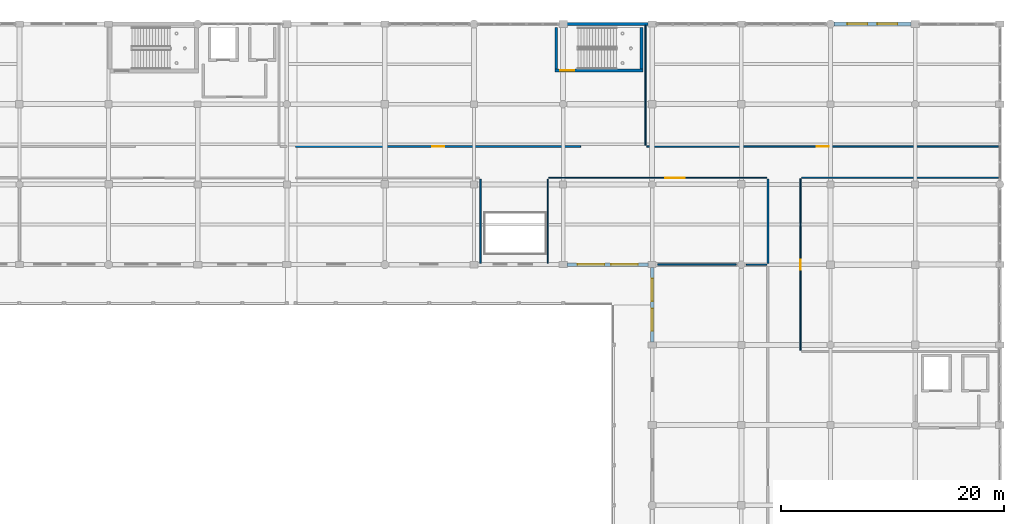
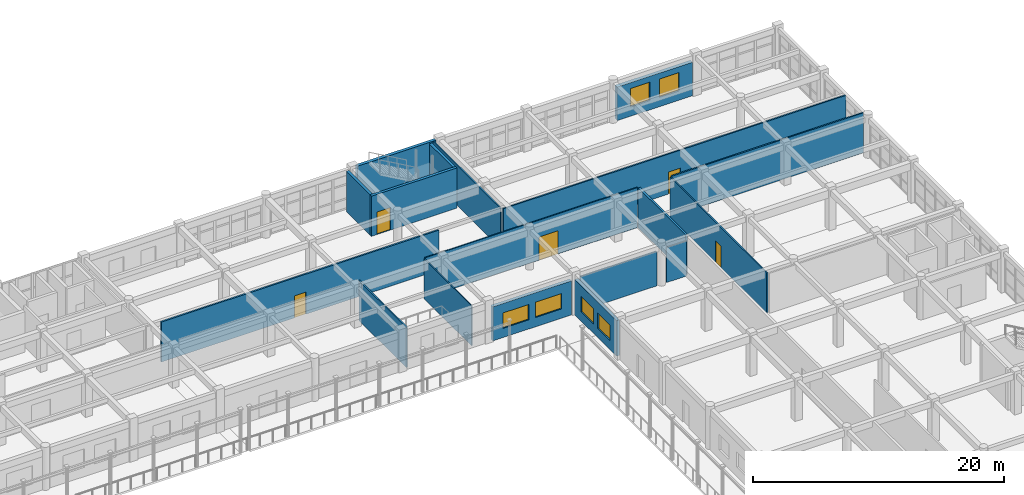
# One storey, part 175 of 195: 18 walls, 6 windows, 5 doors, 11 openings.
"""IFC4 building model written with IfcOpenShell, lengths in metres."""

from ifc_helpers import new_model, si_unit, direction, frame, frame_2d, origin, place, context, subcontext, project, spatial, rectangle, extrude, material, layer, layer_set, type_object, element, fill, save


model = new_model("IFC4")

# Units and contexts
model_context = context("Model", 3, precision=1e-05, world=origin(), true_north=direction((0.0, 1.0)))
body_context = subcontext(model_context, "Body", "Model", "MODEL_VIEW")
ifc_project = project(units=[si_unit("LENGTHUNIT", "METRE"), si_unit("AREAUNIT", "SQUARE_METRE"), si_unit("VOLUMEUNIT", "CUBIC_METRE"), si_unit("PLANEANGLEUNIT", "RADIAN"), si_unit("MASSUNIT", "GRAM", prefix="KILO")], contexts=[model_context])

# Site, building, storey
site_placement = place(None, origin())
site = spatial("IfcSite", under=ifc_project, at=site_placement, CompositionType="ELEMENT")
building_placement = place(site_placement, origin())
building = spatial("IfcBuilding", under=site, at=building_placement, Name="Kharva Crest Polytechnic", CompositionType="ELEMENT")
storey_placement = place(building_placement, frame((0.0, 0.0, 9.0)))
storey = spatial("IfcBuildingStorey", under=building, at=storey_placement, Name="L02", CompositionType="ELEMENT", Elevation=9.0)

# Wall, openings, windows
ifc_material_1 = material(Name="Kiln brick masonry", Category="masonry")
ifc_layer_1 = layer(ifc_material_1, 0.2900390625, Name="Kiln brick masonry")
ifc_layer_set_1 = layer_set([ifc_layer_1], Name="Kiln brick masonry")
wall_type_1 = type_object("IfcWallType", Name="WL-EXT-BRK-290", PredefinedType="SOLIDWALL", material=ifc_layer_set_1)
wall_1_placement = place(storey_placement, frame((152.800048828125, 100.1298828125, 0.0), z_axis=(0.0, 0.0, 1.0), x_axis=(0.0, -1.0, 0.0)))
wall_1 = element("IfcWall", 1, at=wall_1_placement, inside=storey, type_object=wall_type_1, Name="L02 Exterior Brick Wall 276", PredefinedType="SOLIDWALL", context=body_context, shape_type="SweptSolid", body=[
    extrude(rectangle(XDim=6.659912109375, YDim=0.2900390625, at=frame_2d((3.330078125, 0.0))), origin(), (0.0, 0.0, 1.0), 3.4599609375),
])
opening_1_placement = place(wall_1_placement, frame((0.992919921875, 0.0, 0.89990234375)))
opening_1 = element("IfcOpeningElement", 2, at=opening_1_placement, cuts=wall_1, Name="Opening W12", PredefinedType="OPENING", context=body_context, shape_type="SweptSolid", body=[
    extrude(rectangle(XDim=2.0, YDim=1.5, at=frame_2d((1.0, 0.75))), frame((0.0, 0.155029296875, 0.0), z_axis=(0.0, -1.0, 0.0), x_axis=(1.0, 0.0, 0.0)), (0.0, 0.0, 1.0), 0.31005859375),
])
opening_2_placement = place(wall_1_placement, frame((3.6669921875, 0.0, 0.89990234375)))
opening_2 = element("IfcOpeningElement", 3, at=opening_2_placement, cuts=wall_1, Name="Opening W12", PredefinedType="OPENING", context=body_context, shape_type="SweptSolid", body=[
    extrude(rectangle(XDim=2.0, YDim=1.5, at=frame_2d((1.0, 0.75))), frame((0.0, 0.155029296875, 0.0), z_axis=(0.0, -1.0, 0.0), x_axis=(1.0, 0.0, 0.0)), (0.0, 0.0, 1.0), 0.31005859375),
])
ifc_material_2 = material(Name="Anodised aluminium", Category="aluminium")
window_type_1 = type_object("IfcWindowType", Name="WIN-ALU-2000X1500", PartitioningType="SINGLE_PANEL", PredefinedType="WINDOW", material=ifc_material_2)
window_1_placement = place(opening_1_placement, origin())
window_1 = element("IfcWindow", 4, at=window_1_placement, inside=storey, type_object=window_type_1, Name="L02 Exterior Window 369", OverallHeight=1.5, OverallWidth=2.0, PartitioningType="SINGLE_PANEL", PredefinedType="WINDOW", context=body_context, shape_type="SweptSolid", body=[
    extrude(rectangle(XDim=2.0, YDim=1.5, at=frame_2d((1.0, 0.75))), frame((0.0, 0.030029296875, 0.0), z_axis=(0.0, -1.0, 0.0), x_axis=(1.0, 0.0, 0.0)), (0.0, 0.0, 1.0), 0.06005859375),
])
fill(opening_1, window_1)
window_2_placement = place(opening_2_placement, origin())
window_2 = element("IfcWindow", 5, at=window_2_placement, inside=storey, type_object=window_type_1, Name="L02 Exterior Window 370", OverallHeight=1.5, OverallWidth=2.0, PartitioningType="SINGLE_PANEL", PredefinedType="WINDOW", context=body_context, shape_type="SweptSolid", body=[
    extrude(rectangle(XDim=2.0, YDim=1.5, at=frame_2d((1.0, 0.75))), frame((0.0, 0.030029296875, 0.0), z_axis=(0.0, -1.0, 0.0), x_axis=(1.0, 0.0, 0.0)), (0.0, 0.0, 1.0), 0.06005859375),
])
fill(opening_2, window_2)

# Wall
wall_2_placement = place(storey_placement, frame((152.429931640625, 122.0, 0.0), z_axis=(0.0, 0.0, 1.0), x_axis=(-1.0, 0.0, 0.0)))
element("IfcWall", 6, at=wall_2_placement, inside=storey, type_object=wall_type_1, Name="L02 Exterior Brick Wall 288", PredefinedType="SOLIDWALL", context=body_context, shape_type="SweptSolid", body=[
    extrude(rectangle(XDim=7.260009765625, YDim=0.2900390625, at=frame_2d((3.6298828125, 0.0))), origin(), (0.0, 0.0, 1.0), 3.919921875),
])

# Wall, openings, windows
ifc_layer_2 = layer(ifc_material_1, 0.304931640625, Name="Kiln brick masonry")
ifc_layer_set_2 = layer_set([ifc_layer_2], Name="Kiln brick masonry")
wall_type_2 = type_object("IfcWallType", Name="WL-EXT-BRK-305", PredefinedType="SOLIDWALL", material=ifc_layer_set_2)
wall_3_placement = place(storey_placement, frame((145.169921875, 100.39990234375, 0.0), z_axis=(0.0, 0.0, 1.0), x_axis=(1.0, 0.0, 0.0)))
wall_3 = element("IfcWall", 7, at=wall_3_placement, inside=storey, type_object=wall_type_2, Name="L02 Exterior Brick Wall 275", PredefinedType="SOLIDWALL", context=body_context, shape_type="SweptSolid", body=[
    extrude(rectangle(XDim=7.275146484375, YDim=0.304931640625, at=frame_2d((3.6376953125, 0.0))), origin(), (0.0, 0.0, 1.0), 3.320068359375),
])
opening_3_placement = place(wall_3_placement, frame((0.931884765625, 0.0, 0.89990234375)))
opening_3 = element("IfcOpeningElement", 8, at=opening_3_placement, cuts=wall_3, Name="Opening W10", PredefinedType="OPENING", context=body_context, shape_type="SweptSolid", body=[
    extrude(rectangle(XDim=2.39990234375, YDim=1.5, at=frame_2d((1.199951171875, 0.75))), frame((0.0, 0.162353515625, 0.0), z_axis=(0.0, -1.0, 0.0), x_axis=(1.0, 0.0, 0.0)), (0.0, 0.0, 1.0), 0.324951171875),
])
opening_4_placement = place(wall_3_placement, frame((3.943115234375, 0.0, 0.89990234375)))
opening_4 = element("IfcOpeningElement", 9, at=opening_4_placement, cuts=wall_3, Name="Opening W10", PredefinedType="OPENING", context=body_context, shape_type="SweptSolid", body=[
    extrude(rectangle(XDim=2.39990234375, YDim=1.5, at=frame_2d((1.199951171875, 0.75))), frame((0.0, 0.162353515625, 0.0), z_axis=(0.0, -1.0, 0.0), x_axis=(1.0, 0.0, 0.0)), (0.0, 0.0, 1.0), 0.324951171875),
])
window_type_2 = type_object("IfcWindowType", Name="WIN-ALU-2400X1500", PartitioningType="SINGLE_PANEL", PredefinedType="WINDOW", material=ifc_material_2)
window_3_placement = place(opening_3_placement, origin())
window_3 = element("IfcWindow", 10, at=window_3_placement, inside=storey, type_object=window_type_2, Name="L02 Exterior Window 367", OverallHeight=1.5, OverallWidth=2.39990234375, PartitioningType="SINGLE_PANEL", PredefinedType="WINDOW", context=body_context, shape_type="SweptSolid", body=[
    extrude(rectangle(XDim=2.39990234375, YDim=1.5, at=frame_2d((1.199951171875, 0.75))), frame((0.0, 0.030029296875, 0.0), z_axis=(0.0, -1.0, 0.0), x_axis=(1.0, 0.0, 0.0)), (0.0, 0.0, 1.0), 0.06005859375),
])
fill(opening_3, window_3)
window_4_placement = place(opening_4_placement, origin())
window_4 = element("IfcWindow", 11, at=window_4_placement, inside=storey, type_object=window_type_2, Name="L02 Exterior Window 368", OverallHeight=1.5, OverallWidth=2.39990234375, PartitioningType="SINGLE_PANEL", PredefinedType="WINDOW", context=body_context, shape_type="SweptSolid", body=[
    extrude(rectangle(XDim=2.39990234375, YDim=1.5, at=frame_2d((1.199951171875, 0.75))), frame((0.0, 0.030029296875, 0.0), z_axis=(0.0, -1.0, 0.0), x_axis=(1.0, 0.0, 0.0)), (0.0, 0.0, 1.0), 0.06005859375),
])
fill(opening_4, window_4)

ifc_layer_3 = layer(ifc_material_1, 0.3349609375, Name="Kiln brick masonry")
ifc_layer_set_3 = layer_set([ifc_layer_3], Name="Kiln brick masonry")
wall_type_3 = type_object("IfcWallType", Name="WL-EXT-BRK-335", PredefinedType="SOLIDWALL", material=ifc_layer_set_3)
wall_4_placement = place(storey_placement, frame((176.030029296875, 122.0, 0.0), z_axis=(0.0, 0.0, 1.0), x_axis=(-1.0, 0.0, 0.0)))
wall_4 = element("IfcWall", 12, at=wall_4_placement, inside=storey, type_object=wall_type_3, Name="L02 Exterior Brick Wall 287", PredefinedType="SOLIDWALL", context=body_context, shape_type="SweptSolid", body=[
    extrude(rectangle(XDim=6.927734375, YDim=0.3349609375, at=frame_2d((3.4638671875, 0.0))), origin(), (0.0, 0.0, 1.0), 3.27001953125),
])
opening_5_placement = place(wall_4_placement, frame((1.216064453125, 0.0, 0.89990234375)))
opening_5 = element("IfcOpeningElement", 13, at=opening_5_placement, cuts=wall_4, Name="Opening W05", PredefinedType="OPENING", context=body_context, shape_type="SweptSolid", body=[
    extrude(rectangle(XDim=1.800048828125, YDim=1.800048828125, at=frame_2d((0.89990234375, 0.89990234375))), frame((0.0, 0.177490234375, 0.0), z_axis=(0.0, -1.0, 0.0), x_axis=(1.0, 0.0, 0.0)), (0.0, 0.0, 1.0), 0.35498046875),
])
opening_6_placement = place(wall_4_placement, frame((3.912109375, 0.0, 0.89990234375)))
opening_6 = element("IfcOpeningElement", 14, at=opening_6_placement, cuts=wall_4, Name="Opening W05", PredefinedType="OPENING", context=body_context, shape_type="SweptSolid", body=[
    extrude(rectangle(XDim=1.800048828125, YDim=1.800048828125, at=frame_2d((0.89990234375, 0.89990234375))), frame((0.0, 0.177490234375, 0.0), z_axis=(0.0, -1.0, 0.0), x_axis=(1.0, 0.0, 0.0)), (0.0, 0.0, 1.0), 0.35498046875),
])
window_type_3 = type_object("IfcWindowType", Name="WIN-ALU-1800X1800", PartitioningType="SINGLE_PANEL", PredefinedType="WINDOW", material=ifc_material_2)
window_5_placement = place(opening_5_placement, origin())
window_5 = element("IfcWindow", 15, at=window_5_placement, inside=storey, type_object=window_type_3, Name="L02 Exterior Window 386", OverallHeight=1.800048828125, OverallWidth=1.800048828125, PartitioningType="SINGLE_PANEL", PredefinedType="WINDOW", context=body_context, shape_type="SweptSolid", body=[
    extrude(rectangle(XDim=1.800048828125, YDim=1.800048828125, at=frame_2d((0.89990234375, 0.89990234375))), frame((0.0, 0.030029296875, 0.0), z_axis=(0.0, -1.0, 0.0), x_axis=(1.0, 0.0, 0.0)), (0.0, 0.0, 1.0), 0.06005859375),
])
fill(opening_5, window_5)
window_6_placement = place(opening_6_placement, origin())
window_6 = element("IfcWindow", 16, at=window_6_placement, inside=storey, type_object=window_type_3, Name="L02 Exterior Window 387", OverallHeight=1.800048828125, OverallWidth=1.800048828125, PartitioningType="SINGLE_PANEL", PredefinedType="WINDOW", context=body_context, shape_type="SweptSolid", body=[
    extrude(rectangle(XDim=1.800048828125, YDim=1.800048828125, at=frame_2d((0.89990234375, 0.89990234375))), frame((0.0, 0.030029296875, 0.0), z_axis=(0.0, -1.0, 0.0), x_axis=(1.0, 0.0, 0.0)), (0.0, 0.0, 1.0), 0.06005859375),
])
fill(opening_6, window_6)

# Wall
ifc_layer_4 = layer(ifc_material_1, 0.090087890625, Name="Kiln brick masonry")
ifc_layer_set_4 = layer_set([ifc_layer_4], Name="Kiln brick masonry")
wall_type_4 = type_object("IfcWallType", Name="WL-PART-090", PredefinedType="PARTITIONING", material=ifc_layer_set_4)
wall_5_placement = place(storey_placement, frame((143.39990234375, 100.510009765625, 0.0), z_axis=(0.0, 0.0, 1.0), x_axis=(0.0, 1.0, 0.0)))
element("IfcWall", 17, at=wall_5_placement, inside=storey, type_object=wall_type_4, Name="L02 Interior Partition 249", PredefinedType="PARTITIONING", context=body_context, shape_type="SweptSolid", body=[
    extrude(rectangle(XDim=7.570068359375, YDim=0.090087890625, at=frame_2d((3.78515625, 0.0))), origin(), (0.0, 0.0, 1.0), 3.89990234375),
])

# Wall, opening, door
ifc_layer_5 = layer(ifc_material_1, 0.10009765625, Name="Kiln brick masonry")
ifc_layer_set_5 = layer_set([ifc_layer_5], Name="Kiln brick masonry")
wall_type_5 = type_object("IfcWallType", Name="WL-PART-100", PredefinedType="PARTITIONING", material=ifc_layer_set_5)
wall_6_placement = place(storey_placement, frame((143.510009765625, 108.18994140625, 0.0), z_axis=(0.0, 0.0, 1.0), x_axis=(1.0, 0.0, 0.0)))
wall_6 = element("IfcWall", 18, at=wall_6_placement, inside=storey, type_object=wall_type_5, Name="L02 Interior Partition 248", PredefinedType="PARTITIONING", context=body_context, shape_type="SweptSolid", body=[
    extrude(rectangle(XDim=19.570068359375, YDim=0.10009765625, at=frame_2d((9.78515625, 0.0))), origin(), (0.0, 0.0, 1.0), 3.89990234375),
])
opening_7_placement = place(wall_6_placement, frame((10.47607421875, 0.0, 0.0)))
opening_7 = element("IfcOpeningElement", 19, at=opening_7_placement, cuts=wall_6, Name="Opening ID5", PredefinedType="OPENING", context=body_context, shape_type="SweptSolid", body=[
    extrude(rectangle(XDim=1.75, YDim=2.25, at=frame_2d((0.875, 1.125))), frame((0.0, 0.06005859375, 0.0), z_axis=(0.0, -1.0, 0.0), x_axis=(1.0, 0.0, 0.0)), (0.0, 0.0, 1.0), 0.1201171875),
])
ifc_material_3 = material(Name="Teak timber", Category="wood")
door_type_1 = type_object("IfcDoorType", Name="DR-LIB-DBL-1750X2250", OperationType="NOTDEFINED", PredefinedType="DOOR", material=ifc_material_3)
door_1_placement = place(opening_7_placement, origin())
door_1 = element("IfcDoor", 20, at=door_1_placement, inside=storey, type_object=door_type_1, Name="L02 Periodicals Reading Hall Door", OperationType="DOUBLE_DOOR_SINGLE_SWING", OverallHeight=2.25, OverallWidth=1.75, PredefinedType="DOOR", context=body_context, shape_type="SweptSolid", body=[
    extrude(rectangle(XDim=1.75, YDim=2.25, at=frame_2d((0.875, 1.125))), frame((0.0, 0.02490234375, 0.0), z_axis=(0.0, -1.0, 0.0), x_axis=(1.0, 0.0, 0.0)), (0.0, 0.0, 1.0), 0.050048828125),
])
fill(opening_7, door_1)

# Walls
ifc_layer_6 = layer(ifc_material_1, 0.110107421875, Name="Kiln brick masonry")
ifc_layer_set_6 = layer_set([ifc_layer_6], Name="Kiln brick masonry")
wall_type_6 = type_object("IfcWallType", Name="WL-PART-110", PredefinedType="PARTITIONING", material=ifc_layer_set_6)
wall_7_placement = place(storey_placement, frame((161.260009765625, 100.39990234375, 0.0), z_axis=(0.0, 0.0, 1.0), x_axis=(1.0, 0.0, 0.0)))
element("IfcWall", 21, at=wall_7_placement, inside=storey, type_object=wall_type_6, Name="L02 Interior Partition 247", PredefinedType="PARTITIONING", context=body_context, shape_type="SweptSolid", body=[
    extrude(rectangle(XDim=1.820068359375, YDim=0.110107421875, at=frame_2d((0.91015625, 0.0))), origin(), (0.0, 0.0, 1.0), 3.419921875),
])
ifc_layer_7 = layer(ifc_material_1, 0.1201171875, Name="Kiln brick masonry")
ifc_layer_set_7 = layer_set([ifc_layer_7], Name="Kiln brick masonry")
wall_type_7 = type_object("IfcWallType", Name="WL-PART-120", PredefinedType="PARTITIONING", material=ifc_layer_set_7)
wall_8_placement = place(storey_placement, frame((153.2900390625, 100.39990234375, 0.0), z_axis=(0.0, 0.0, 1.0), x_axis=(1.0, 0.0, 0.0)))
element("IfcWall", 22, at=wall_8_placement, inside=storey, type_object=wall_type_7, Name="L02 Interior Partition 246", PredefinedType="PARTITIONING", context=body_context, shape_type="SweptSolid", body=[
    extrude(rectangle(XDim=7.050048828125, YDim=0.1201171875, at=frame_2d((3.52490234375, 0.0))), origin(), (0.0, 0.0, 1.0), 3.3701171875),
])
wall_9_placement = place(storey_placement, frame((152.199951171875, 111.110107421875, 0.0), z_axis=(0.0, 0.0, 1.0), x_axis=(0.0, 1.0, 0.0)))
element("IfcWall", 23, at=wall_9_placement, inside=storey, type_object=wall_type_7, Name="L02 Interior Partition 256", PredefinedType="PARTITIONING", context=body_context, shape_type="SweptSolid", body=[
    extrude(rectangle(XDim=10.77978515625, YDim=0.1201171875, at=frame_2d((5.389892578125, 0.0))), origin(), (0.0, 0.0, 1.0), 3.89990234375),
])

# Wall, opening, door
wall_10_placement = place(storey_placement, frame((166.110107421875, 92.7099609375, 0.0), z_axis=(0.0, 0.0, 1.0), x_axis=(0.0, 1.0, 0.0)))
wall_10 = element("IfcWall", 24, at=wall_10_placement, inside=storey, type_object=wall_type_7, Name="L02 Interior Partition 266", PredefinedType="PARTITIONING", context=body_context, shape_type="SweptSolid", body=[
    extrude(rectangle(XDim=15.380126953125, YDim=0.1201171875, at=frame_2d((7.68994140625, 0.0))), origin(), (0.0, 0.0, 1.0), 3.89990234375),
])
opening_8_placement = place(wall_10_placement, frame((7.235107421875, 0.0, 0.0)))
opening_8 = element("IfcOpeningElement", 25, at=opening_8_placement, cuts=wall_10, Name="Opening ID15", PredefinedType="OPENING", context=body_context, shape_type="SweptSolid", body=[
    extrude(rectangle(XDim=0.909912109375, YDim=2.10009765625, at=frame_2d((0.455078125, 1.050048828125))), frame((0.0, 0.070068359375, 0.0), z_axis=(0.0, -1.0, 0.0), x_axis=(1.0, 0.0, 0.0)), (0.0, 0.0, 1.0), 0.14013671875),
])
door_type_2 = type_object("IfcDoorType", Name="DR-WC-910X2100", OperationType="NOTDEFINED", PredefinedType="DOOR", material=ifc_material_3)
door_2_placement = place(opening_8_placement, origin())
door_2 = element("IfcDoor", 26, at=door_2_placement, inside=storey, type_object=door_type_2, Name="L02 Library and Lab Washrooms L02 Door", OperationType="SINGLE_SWING_RIGHT", OverallHeight=2.10009765625, OverallWidth=0.909912109375, PredefinedType="DOOR", context=body_context, shape_type="SweptSolid", body=[
    extrude(rectangle(XDim=0.909912109375, YDim=2.10009765625, at=frame_2d((0.455078125, 1.050048828125))), frame((0.0, 0.02490234375, 0.0), z_axis=(0.0, -1.0, 0.0), x_axis=(1.0, 0.0, 0.0)), (0.0, 0.0, 1.0), 0.050048828125),
])
fill(opening_8, door_2)

# Wall
ifc_layer_8 = layer(ifc_material_1, 0.1298828125, Name="Kiln brick masonry")
ifc_layer_set_8 = layer_set([ifc_layer_8], Name="Kiln brick masonry")
wall_type_8 = type_object("IfcWallType", Name="WL-PART-130", PredefinedType="PARTITIONING", material=ifc_layer_set_8)
wall_11_placement = place(storey_placement, frame((137.39990234375, 100.510009765625, 0.0), z_axis=(0.0, 0.0, 1.0), x_axis=(0.0, 1.0, 0.0)))
element("IfcWall", 27, at=wall_11_placement, inside=storey, type_object=wall_type_8, Name="L02 Interior Partition 245", PredefinedType="PARTITIONING", context=body_context, shape_type="SweptSolid", body=[
    extrude(rectangle(XDim=7.570068359375, YDim=0.1298828125, at=frame_2d((3.78515625, 0.0))), origin(), (0.0, 0.0, 1.0), 3.89990234375),
])

# Wall, opening, door
wall_12_placement = place(storey_placement, frame((152.31005859375, 111.0, 0.0), z_axis=(0.0, 0.0, 1.0), x_axis=(1.0, 0.0, 0.0)))
wall_12 = element("IfcWall", 28, at=wall_12_placement, inside=storey, type_object=wall_type_8, Name="L02 Interior Partition 255", PredefinedType="PARTITIONING", context=body_context, shape_type="SweptSolid", body=[
    extrude(rectangle(XDim=31.579833984375, YDim=0.1298828125, at=frame_2d((15.7900390625, 0.0))), origin(), (0.0, 0.0, 1.0), 3.89990234375),
])
opening_9_placement = place(wall_12_placement, frame((15.25, 0.0, 0.0)))
opening_9 = element("IfcOpeningElement", 29, at=opening_9_placement, cuts=wall_12, Name="Opening ID10", PredefinedType="OPENING", context=body_context, shape_type="SweptSolid", body=[
    extrude(rectangle(XDim=1.080078125, YDim=2.14990234375, at=frame_2d((0.5400390625, 1.074951171875))), frame((0.0, 0.074951171875, 0.0), z_axis=(0.0, -1.0, 0.0), x_axis=(1.0, 0.0, 0.0)), (0.0, 0.0, 1.0), 0.14990234375),
])
door_type_3 = type_object("IfcDoorType", Name="DR-CLS-1080X2150", OperationType="NOTDEFINED", PredefinedType="DOOR", material=ifc_material_3)
door_3_placement = place(opening_9_placement, origin())
door_3 = element("IfcDoor", 30, at=door_3_placement, inside=storey, type_object=door_type_3, Name="L02 Media Study Seminar Room L02 Door", OperationType="SINGLE_SWING_RIGHT", OverallHeight=2.14990234375, OverallWidth=1.080078125, PredefinedType="DOOR", context=body_context, shape_type="SweptSolid", body=[
    extrude(rectangle(XDim=1.080078125, YDim=2.14990234375, at=frame_2d((0.5400390625, 1.074951171875))), frame((0.0, 0.02490234375, 0.0), z_axis=(0.0, -1.0, 0.0), x_axis=(1.0, 0.0, 0.0)), (0.0, 0.0, 1.0), 0.050048828125),
])
fill(opening_9, door_3)

# Wall
wall_13_placement = place(storey_placement, frame((166.219970703125, 108.199951171875, 0.0), z_axis=(0.0, 0.0, 1.0), x_axis=(1.0, 0.0, 0.0)))
element("IfcWall", 31, at=wall_13_placement, inside=storey, type_object=wall_type_8, Name="L02 Interior Partition 265", PredefinedType="PARTITIONING", context=body_context, shape_type="SweptSolid", body=[
    extrude(rectangle(XDim=17.669921875, YDim=0.1298828125, at=frame_2d((8.8349609375, 0.0))), origin(), (0.0, 0.0, 1.0), 3.89990234375),
])

# Wall, opening, door
ifc_layer_9 = layer(ifc_material_1, 0.14990234375, Name="Kiln brick masonry")
ifc_layer_set_9 = layer_set([ifc_layer_9], Name="Kiln brick masonry")
wall_type_9 = type_object("IfcWallType", Name="WL-PART-150", PredefinedType="PARTITIONING", material=ifc_layer_set_9)
wall_14_placement = place(storey_placement, frame((120.800048828125, 111.010009765625, 0.0), z_axis=(0.0, 0.0, 1.0), x_axis=(1.0, 0.0, 0.0)))
wall_14 = element("IfcWall", 32, at=wall_14_placement, inside=storey, type_object=wall_type_9, Name="L02 Interior Partition 253 E", PredefinedType="PARTITIONING", context=body_context, shape_type="SweptSolid", body=[
    extrude(rectangle(XDim=25.579833984375, YDim=0.14990234375, at=frame_2d((12.7900390625, 0.0))), origin(), (0.0, 0.0, 1.0), 3.89990234375),
])
opening_10_placement = place(wall_14_placement, frame((12.27001953125, 0.0, 0.0)))
opening_10 = element("IfcOpeningElement", 33, at=opening_10_placement, cuts=wall_14, Name="Opening ID11", PredefinedType="OPENING", context=body_context, shape_type="SweptSolid", body=[
    extrude(rectangle(XDim=1.0400390625, YDim=2.14990234375, at=frame_2d((0.52001953125, 1.074951171875))), frame((0.0, 0.0849609375, 0.0), z_axis=(0.0, -1.0, 0.0), x_axis=(1.0, 0.0, 0.0)), (0.0, 0.0, 1.0), 0.169921875),
])
door_type_4 = type_object("IfcDoorType", Name="DR-CLS-1040X2150", OperationType="NOTDEFINED", PredefinedType="DOOR", material=ifc_material_3)
door_4_placement = place(opening_10_placement, origin())
door_4 = element("IfcDoor", 34, at=door_4_placement, inside=storey, type_object=door_type_4, Name="L02 Digital Archive Seminar Room Door", OperationType="SINGLE_SWING_LEFT", OverallHeight=2.14990234375, OverallWidth=1.0400390625, PredefinedType="DOOR", context=body_context, shape_type="SweptSolid", body=[
    extrude(rectangle(XDim=1.0400390625, YDim=2.14990234375, at=frame_2d((0.52001953125, 1.074951171875))), frame((0.0, 0.02490234375, 0.0), z_axis=(0.0, -1.0, 0.0), x_axis=(1.0, 0.0, 0.0)), (0.0, 0.0, 1.0), 0.050048828125),
])
fill(opening_10, door_4)

# Wall
ifc_layer_10 = layer(ifc_material_1, 0.179931640625, Name="Kiln brick masonry")
ifc_layer_set_10 = layer_set([ifc_layer_10], Name="Kiln brick masonry")
wall_type_10 = type_object("IfcWallType", Name="WL-PART-180", PredefinedType="PARTITIONING", material=ifc_layer_set_10)
wall_15_placement = place(storey_placement, frame((163.18994140625, 100.510009765625, 0.0), z_axis=(0.0, 0.0, 1.0), x_axis=(0.0, 1.0, 0.0)))
element("IfcWall", 35, at=wall_15_placement, inside=storey, type_object=wall_type_10, Name="L02 Interior Partition 250", PredefinedType="PARTITIONING", context=body_context, shape_type="SweptSolid", body=[
    extrude(rectangle(XDim=7.570068359375, YDim=0.179931640625, at=frame_2d((3.78515625, 0.0))), origin(), (0.0, 0.0, 1.0), 3.89990234375),
])

# Wall, opening, door
ifc_material_4 = material(Name="Concrete C40/50", Category="concrete")
ifc_layer_11 = layer(ifc_material_4, 0.25, Name="Concrete C40/50")
ifc_layer_set_11 = layer_set([ifc_layer_11], Name="Concrete C40/50")
wall_type_11 = type_object("IfcWallType", Name="WL-SHEAR-SW1-250", PredefinedType="SHEAR", material=ifc_layer_set_11)
wall_16_placement = place(storey_placement, frame((144.050048828125, 117.81494140625, 0.0), z_axis=(0.0, 0.0, 1.0), x_axis=(1.0, 0.0, 0.0)))
wall_16 = element("IfcWall", 36, at=wall_16_placement, inside=storey, type_object=wall_type_11, Name="L02 North-East Library Wing Stair C9 South Shear Wall", PredefinedType="SHEAR", context=body_context, shape_type="SweptSolid", body=[
    extrude(rectangle(XDim=7.89990234375, YDim=0.25, at=frame_2d((3.949951171875, 0.0))), origin(), (0.0, 0.0, 1.0), 3.919921875),
])
opening_11_placement = place(wall_16_placement, frame((0.5, 0.0, 0.0)))
opening_11 = element("IfcOpeningElement", 37, at=opening_11_placement, cuts=wall_16, Name="Opening FD1B", PredefinedType="OPENING", context=body_context, shape_type="SweptSolid", body=[
    extrude(rectangle(XDim=1.25, YDim=2.199951171875, at=frame_2d((0.625, 1.10009765625))), frame((0.0, 0.135009765625, 0.0), z_axis=(0.0, -1.0, 0.0), x_axis=(1.0, 0.0, 0.0)), (0.0, 0.0, 1.0), 0.27001953125),
])
door_type_5 = type_object("IfcDoorType", Name="DR-STAIR-1250X2200", OperationType="NOTDEFINED", PredefinedType="DOOR", material=ifc_material_3)
door_5_placement = place(opening_11_placement, origin())
door_5 = element("IfcDoor", 38, at=door_5_placement, inside=storey, type_object=door_type_5, Name="L02 ST-09 Stair Door", OperationType="SINGLE_SWING_RIGHT", OverallHeight=2.199951171875, OverallWidth=1.25, PredefinedType="DOOR", context=body_context, shape_type="SweptSolid", body=[
    extrude(rectangle(XDim=1.25, YDim=2.199951171875, at=frame_2d((0.625, 1.10009765625))), frame((0.0, 0.02490234375, 0.0), z_axis=(0.0, -1.0, 0.0), x_axis=(1.0, 0.0, 0.0)), (0.0, 0.0, 1.0), 0.050048828125),
])
fill(opening_11, door_5)

# Walls
for number, where, z_axis, x_axis, name in (
    (39, (144.175048828125, 117.93994140625, 0.0), (0.0, 0.0, 1.0), (0.0, 1.0, 0.0), "L02 North-East Library Wing Stair C9 West Shear Wall"),
    (40, (151.824951171875, 117.93994140625, 0.0), (0.0, 0.0, 1.0), (0.0, 1.0, 0.0), "L02 North-East Library Wing Stair C9 East Shear Wall"),
):
    element("IfcWall", number, at=place(storey_placement, frame(where, z_axis=z_axis, x_axis=x_axis)), inside=storey, type_object=wall_type_11, Name=name, PredefinedType="SHEAR", context=body_context, shape_type="SweptSolid", body=[
        extrude(rectangle(XDim=3.760009765625, YDim=0.25, at=frame_2d((1.8798828125, 0.0))), origin(), (0.0, 0.0, 1.0), 3.919921875),
    ])

save(model, "model.ifc")
